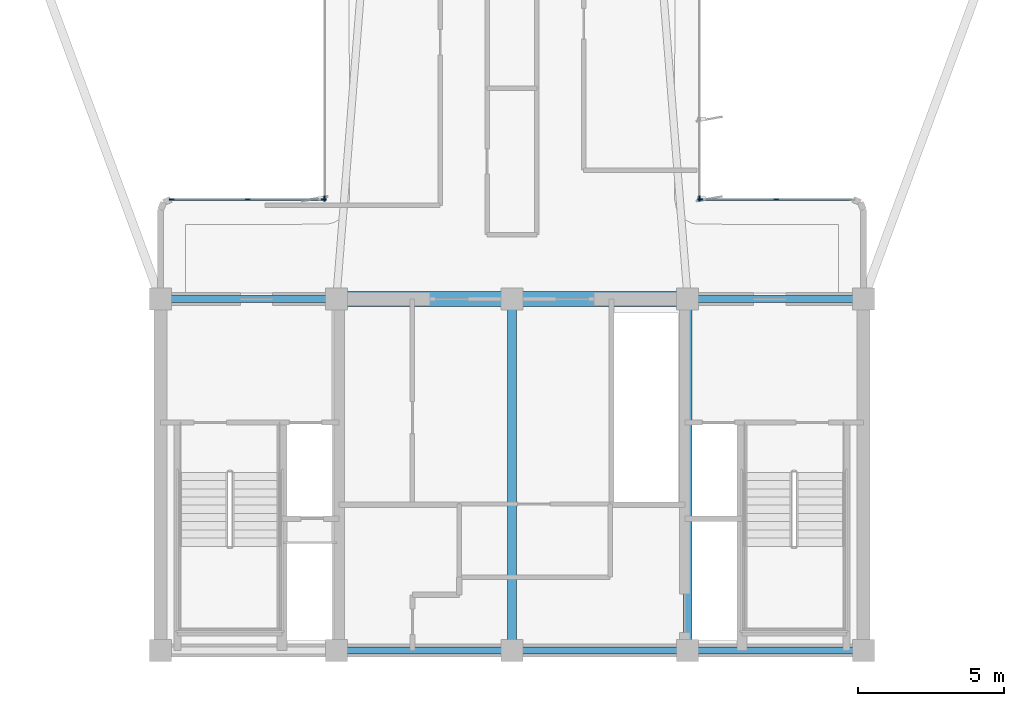
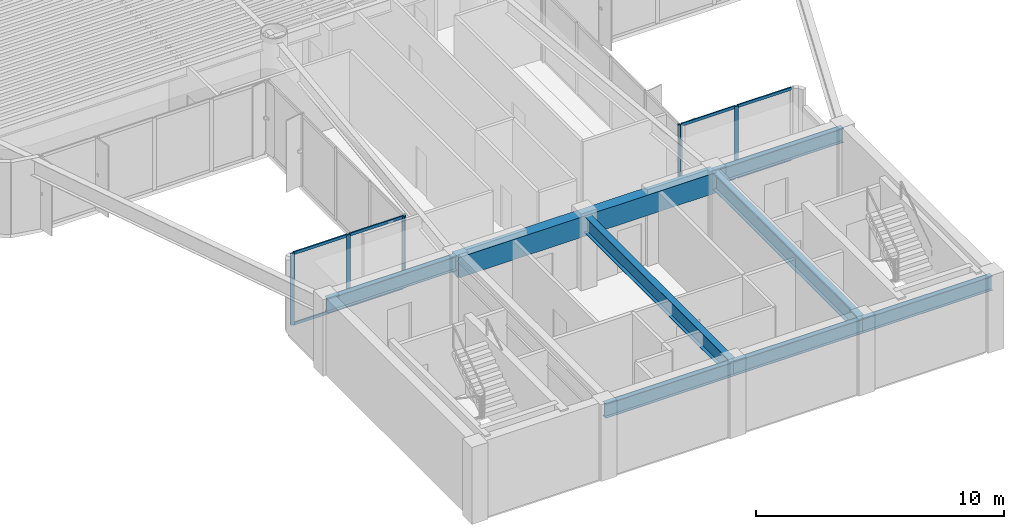
# One storey, part 2 of 14: 15 members, 8 beams, 4 elements without a shape of their own.
"""IFC4 building model written with IfcOpenShell, lengths in metres."""

from ifc_helpers import new_model, si_unit, direction, frame, origin, origin_2d, place, context, subcontext, project, spatial, rectangle, i_section, extrude, source, transform, mapped, material, layer, layer_set, material_profile, profile_set, type_object, element, aggregate, save


model = new_model("IFC4")

# Units and contexts
model_context = context("Model", 3, precision=1e-05, world=origin(), true_north=direction((0.0, 1.0)))
body_context = subcontext(model_context, "Body", "Model", "MODEL_VIEW")
ifc_project = project(units=[si_unit("LENGTHUNIT", "METRE"), si_unit("AREAUNIT", "SQUARE_METRE"), si_unit("VOLUMEUNIT", "CUBIC_METRE"), si_unit("PLANEANGLEUNIT", "RADIAN"), si_unit("MASSUNIT", "GRAM", prefix="KILO")], contexts=[model_context])

# Site, building, storey
site_placement = place(None, origin())
site = spatial("IfcSite", under=ifc_project, at=site_placement, CompositionType="ELEMENT")
building_placement = place(site_placement, origin())
building = spatial("IfcBuilding", under=site, at=building_placement, Name="Brelvock Crest Care Tower", CompositionType="ELEMENT")
storey_placement = place(building_placement, frame((0.0, 0.0, 175.320068359375)))
storey = spatial("IfcBuildingStorey", under=building, at=storey_placement, Name="L44", CompositionType="ELEMENT", Elevation=175.320068359375)

# Beams
ifc_material_1 = material(Name="Steel Grade 350", Category="steel")
ifc_material_profile_1 = material_profile(ifc_material_1, i_section(OverallWidth=0.25, OverallDepth=0.699951171875, WebThickness=0.011962890625, FlangeThickness=0.02001953125, at=origin_2d()), Name="700WB150")
ifc_profile_set_1 = profile_set([ifc_material_profile_1], Name="Steel Grade 350")
beam_type_1 = type_object("IfcBeamType", Name="BM-G4", PredefinedType="BEAM", material=ifc_profile_set_1)
shared_shape_1 = source(origin(), body_context, "Body", "SweptSolid", [
    extrude(i_section(OverallWidth=0.25, OverallDepth=0.699951171875, WebThickness=0.011962890625, FlangeThickness=0.02001953125, at=origin_2d()), origin(), (0.0, 0.0, 1.0), 6.0),
])
for number, where, z_axis, x_axis, name in (
    (1, (24.0, 18.0, 3.179931640625), (1.0, 0.0, 0.0), (0.0, 1.0, 0.0), "BM-COREN-L44-1"),
    (2, (30.0, 6.0, 3.179931640625), (1.0, 0.0, 0.0), (0.0, 1.0, 0.0), "BM-CORES-L44-2"),
    (3, (36.0, 6.0, 3.179931640625), (1.0, 0.0, 0.0), (0.0, 1.0, 0.0), "BM-CORES-L44-3"),
    (4, (42.0, 6.0, 3.179931640625), (1.0, 0.0, 0.0), (0.0, 1.0, 0.0), "BM-CORES-L44-4"),
    (5, (42.0, 18.0, 3.179931640625), (1.0, 0.0, 0.0), (0.0, 1.0, 0.0), "BM-COREN-L44-4"),
):
    element("IfcBeam", number, at=place(storey_placement, frame(where, z_axis=z_axis, x_axis=x_axis)), inside=storey, type_object=beam_type_1, Name=name, PredefinedType="BEAM", context=body_context, shape_type="MappedRepresentation", body=[
        mapped(shared_shape_1, transform((0.0, 0.0, 0.0), x_axis=(1.0, 0.0, 0.0), y_axis=(0.0, 1.0, 0.0), z_axis=(0.0, 0.0, 1.0), scale=1.0)),
    ])
ifc_material_profile_2 = material_profile(ifc_material_1, i_section(OverallWidth=0.300048828125, OverallDepth=0.800048828125, WebThickness=0.013916015625, FlangeThickness=0.02197265625, at=origin_2d()), Name="800WB192")
ifc_profile_set_2 = profile_set([ifc_material_profile_2], Name="Steel Grade 350")
beam_type_2 = type_object("IfcBeamType", Name="BM-G5", PredefinedType="BEAM", material=ifc_profile_set_2)
shared_shape_2 = source(origin(), body_context, "Body", "SweptSolid", [
    extrude(i_section(OverallWidth=0.300048828125, OverallDepth=0.800048828125, WebThickness=0.013916015625, FlangeThickness=0.02197265625, at=origin_2d()), origin(), (0.0, 0.0, 1.0), 12.0),
])
for number, where, z_axis, x_axis, name in (
    (6, (36.0, 6.0, 3.1298828125), (0.0, 1.0, 0.0), (-1.0, 0.0, 0.0), "BM-COREX-L44-3"),
    (7, (42.0, 6.0, 3.1298828125), (0.0, 1.0, 0.0), (-1.0, 0.0, 0.0), "BM-COREX-L44-4"),
):
    element("IfcBeam", number, at=place(storey_placement, frame(where, z_axis=z_axis, x_axis=x_axis)), inside=storey, type_object=beam_type_2, Name=name, PredefinedType="BEAM", context=body_context, shape_type="MappedRepresentation", body=[
        mapped(shared_shape_2, transform((0.0, 0.0, 0.0), x_axis=(1.0, 0.0, 0.0), y_axis=(0.0, 1.0, 0.0), z_axis=(0.0, 0.0, 1.0), scale=1.0)),
    ])
ifc_material_2 = material(Name="Concrete S65 (65 MPa)", Category="concrete")
ifc_material_profile_3 = material_profile(ifc_material_2, rectangle(XDim=0.5, YDim=1.0, at=origin_2d()), Name="RC500x1000")
ifc_profile_set_3 = profile_set([ifc_material_profile_3], Name="Concrete S65 (65 MPa)")
beam_type_3 = type_object("IfcBeamType", Name="BM-LN2", PredefinedType="LINTEL", material=ifc_profile_set_3)
shared_shape_3 = source(origin(), body_context, "Body", "SweptSolid", [
    extrude(rectangle(XDim=0.5, YDim=1.0, at=origin_2d()), origin(), (0.0, 0.0, 1.0), 12.0),
])
beam_placement = place(storey_placement, frame((30.0, 18.0, 3.030029296875), z_axis=(1.0, 0.0, 0.0), x_axis=(0.0, 1.0, 0.0)))
element("IfcBeam", 8, at=beam_placement, inside=storey, type_object=beam_type_3, Name="L44 Core Coupling Lintel Beam", PredefinedType="LINTEL", context=body_context, shape_type="MappedRepresentation", body=[
    mapped(shared_shape_3, transform((0.0, 0.0, 0.0), x_axis=(1.0, 0.0, 0.0), y_axis=(0.0, 1.0, 0.0), z_axis=(0.0, 0.0, 1.0), scale=1.0)),
])

# Curtain wall, members
ifc_material_3 = material(Name="Dark Glass Double Glazed Low-E", Category="glass")
ifc_layer = layer(ifc_material_3, 0.22509765625, Name="CWS-4")
ifc_layer_set = layer_set([ifc_layer], Name="Dark Glass Double Glazed Low-E")
curtain_wall_type = type_object("IfcCurtainWallType", Name="CWS-4", PredefinedType="NOTDEFINED", material=ifc_layer_set)
curtain_wall_1_placement = place(storey_placement, origin())
curtain_wall_1 = element("IfcCurtainWall", 9, at=curtain_wall_1_placement, inside=storey, type_object=curtain_wall_type, Name="L44 Curtain Wall E10", PredefinedType="NOTDEFINED")
ifc_material_4 = material(Name="Aluminium 6063-T6", Category="aluminium")
ifc_material_profile_4 = material_profile(ifc_material_4, rectangle(XDim=0.06005859375, YDim=0.179931640625, at=origin_2d()), Name="ALU60x180")
ifc_profile_set_4 = profile_set([ifc_material_profile_4], Name="Aluminium 6063-T6")
member_type_1 = type_object("IfcMemberType", Name="CWM-2", PredefinedType="MULLION", material=ifc_profile_set_4)
shared_shape_4 = source(origin(), body_context, "Body", "SweptSolid", [
    extrude(rectangle(XDim=0.06005859375, YDim=0.179931640625, at=origin_2d()), origin(), (0.0, 0.0, 1.0), 3.530029296875),
])
member_1_placement = place(storey_placement, frame((24.3798828125, 21.39990234375, 0.0), z_axis=(0.0, 0.0, 1.0), x_axis=(0.0, 1.0, 0.0)))
member_1 = element("IfcMember", 10, at=member_1_placement, type_object=member_type_1, Name="CW-4 mullion 1", PredefinedType="MULLION", context=body_context, shape_type="MappedRepresentation", body=[
    mapped(shared_shape_4, transform((0.0, 0.0, 0.0), x_axis=(1.0, 0.0, 0.0), y_axis=(0.0, 1.0, 0.0), z_axis=(0.0, 0.0, 1.0), scale=1.0)),
])
member_2_placement = place(storey_placement, frame((26.97509765625, 21.39990234375, 0.0), z_axis=(0.0, 0.0, 1.0), x_axis=(0.0, 1.0, 0.0)))
member_2 = element("IfcMember", 11, at=member_2_placement, type_object=member_type_1, Name="CW-4 mullion 2", PredefinedType="MULLION", context=body_context, shape_type="MappedRepresentation", body=[
    mapped(shared_shape_4, transform((0.0, 0.0, 0.0), x_axis=(1.0, 0.0, 0.0), y_axis=(0.0, 1.0, 0.0), z_axis=(0.0, 0.0, 1.0), scale=1.0)),
])
member_3_placement = place(storey_placement, frame((29.570068359375, 21.39990234375, 0.0), z_axis=(0.0, 0.0, 1.0), x_axis=(0.0, 1.0, 0.0)))
member_3 = element("IfcMember", 12, at=member_3_placement, type_object=member_type_1, Name="CW-4 mullion 3", PredefinedType="MULLION", context=body_context, shape_type="MappedRepresentation", body=[
    mapped(shared_shape_4, transform((0.0, 0.0, 0.0), x_axis=(1.0, 0.0, 0.0), y_axis=(0.0, 1.0, 0.0), z_axis=(0.0, 0.0, 1.0), scale=1.0)),
])

# Curtain wall, member
curtain_wall_2_placement = place(storey_placement, origin())
curtain_wall_2 = element("IfcCurtainWall", 13, at=curtain_wall_2_placement, inside=storey, type_object=curtain_wall_type, Name="L44 Curtain Wall E11", PredefinedType="NOTDEFINED")
member_4_placement = place(storey_placement, frame((29.60009765625, 21.429931640625, 0.0), z_axis=(0.0, 0.0, 1.0), x_axis=(-1.0, 0.0, 0.0)))
member_4 = element("IfcMember", 14, at=member_4_placement, type_object=member_type_1, Name="CW-4 mullion 1", PredefinedType="MULLION", context=body_context, shape_type="MappedRepresentation", body=[
    mapped(shared_shape_4, transform((0.0, 0.0, 0.0), x_axis=(1.0, 0.0, 0.0), y_axis=(0.0, 1.0, 0.0), z_axis=(0.0, 0.0, 1.0), scale=1.0)),
])
aggregate(curtain_wall_2, [member_4])

curtain_wall_3_placement = place(storey_placement, origin())
curtain_wall_3 = element("IfcCurtainWall", 15, at=curtain_wall_3_placement, inside=storey, type_object=curtain_wall_type, Name="L44 Curtain Wall E45", PredefinedType="NOTDEFINED")
member_5_placement = place(storey_placement, frame((42.39990234375, 21.429931640625, 0.0), z_axis=(0.0, 0.0, 1.0), x_axis=(1.0, 0.0, 0.0)))
member_5 = element("IfcMember", 16, at=member_5_placement, type_object=member_type_1, Name="CW-4 mullion 5", PredefinedType="MULLION", context=body_context, shape_type="MappedRepresentation", body=[
    mapped(shared_shape_4, transform((0.0, 0.0, 0.0), x_axis=(1.0, 0.0, 0.0), y_axis=(0.0, 1.0, 0.0), z_axis=(0.0, 0.0, 1.0), scale=1.0)),
])
aggregate(curtain_wall_3, [member_5])

# Curtain wall, members
curtain_wall_4_placement = place(storey_placement, origin())
curtain_wall_4 = element("IfcCurtainWall", 17, at=curtain_wall_4_placement, inside=storey, type_object=curtain_wall_type, Name="L44 Curtain Wall E46", PredefinedType="NOTDEFINED")
member_6_placement = place(storey_placement, frame((42.429931640625, 21.39990234375, 0.0), z_axis=(0.0, 0.0, 1.0), x_axis=(0.0, 1.0, 0.0)))
member_6 = element("IfcMember", 18, at=member_6_placement, type_object=member_type_1, Name="CW-4 mullion 1", PredefinedType="MULLION", context=body_context, shape_type="MappedRepresentation", body=[
    mapped(shared_shape_4, transform((0.0, 0.0, 0.0), x_axis=(1.0, 0.0, 0.0), y_axis=(0.0, 1.0, 0.0), z_axis=(0.0, 0.0, 1.0), scale=1.0)),
])
member_7_placement = place(storey_placement, frame((45.02490234375, 21.39990234375, 0.0), z_axis=(0.0, 0.0, 1.0), x_axis=(0.0, 1.0, 0.0)))
member_7 = element("IfcMember", 19, at=member_7_placement, type_object=member_type_1, Name="CW-4 mullion 2", PredefinedType="MULLION", context=body_context, shape_type="MappedRepresentation", body=[
    mapped(shared_shape_4, transform((0.0, 0.0, 0.0), x_axis=(1.0, 0.0, 0.0), y_axis=(0.0, 1.0, 0.0), z_axis=(0.0, 0.0, 1.0), scale=1.0)),
])

# Member
ifc_material_profile_5 = material_profile(ifc_material_4, rectangle(XDim=0.06005859375, YDim=0.139892578125, at=origin_2d()), Name="ALU60x140")
ifc_profile_set_5 = profile_set([ifc_material_profile_5], Name="Aluminium 6063-T6")
member_type_2 = type_object("IfcMemberType", Name="CWT-2", PredefinedType="USERDEFINED", material=ifc_profile_set_5)
shared_shape_5 = source(origin(), body_context, "Body", "SweptSolid", [
    extrude(rectangle(XDim=0.06005859375, YDim=0.139892578125, at=origin_2d()), origin(), (0.0, 0.0, 1.0), 2.53515625),
])
member_8_placement = place(storey_placement, frame((24.409912109375, 21.39990234375, 0.030029296875), z_axis=(1.0, 0.0, 0.0), x_axis=(0.0, 1.0, 0.0)))
member_8 = element("IfcMember", 20, at=member_8_placement, type_object=member_type_2, Name="CW-4 transom 1.1", ObjectType="TRANSOM", PredefinedType="USERDEFINED", context=body_context, shape_type="MappedRepresentation", body=[
    mapped(shared_shape_5, transform((0.0, 0.0, 0.0), x_axis=(1.0, 0.0, 0.0), y_axis=(0.0, 1.0, 0.0), z_axis=(0.0, 0.0, 1.0), scale=1.0)),
])

member_9_placement = place(storey_placement, frame((24.409912109375, 21.39990234375, 3.5), z_axis=(1.0, 0.0, 0.0), x_axis=(0.0, 1.0, 0.0)))
member_9 = element("IfcMember", 21, at=member_9_placement, type_object=member_type_2, Name="CW-4 transom 1.2", ObjectType="TRANSOM", PredefinedType="USERDEFINED", context=body_context, shape_type="MappedRepresentation", body=[
    mapped(shared_shape_5, transform((0.0, 0.0, 0.0), x_axis=(1.0, 0.0, 0.0), y_axis=(0.0, 1.0, 0.0), z_axis=(0.0, 0.0, 1.0), scale=1.0)),
])

member_10_placement = place(storey_placement, frame((27.0048828125, 21.39990234375, 0.030029296875), z_axis=(1.0, 0.0, 0.0), x_axis=(0.0, 1.0, 0.0)))
member_10 = element("IfcMember", 22, at=member_10_placement, type_object=member_type_2, Name="CW-4 transom 2.1", ObjectType="TRANSOM", PredefinedType="USERDEFINED", context=body_context, shape_type="MappedRepresentation", body=[
    mapped(shared_shape_5, transform((0.0, 0.0, 0.0), x_axis=(1.0, 0.0, 0.0), y_axis=(0.0, 1.0, 0.0), z_axis=(0.0, 0.0, 1.0), scale=1.0)),
])

member_11_placement = place(storey_placement, frame((27.0048828125, 21.39990234375, 3.5), z_axis=(1.0, 0.0, 0.0), x_axis=(0.0, 1.0, 0.0)))
member_11 = element("IfcMember", 23, at=member_11_placement, type_object=member_type_2, Name="CW-4 transom 2.2", ObjectType="TRANSOM", PredefinedType="USERDEFINED", context=body_context, shape_type="MappedRepresentation", body=[
    mapped(shared_shape_5, transform((0.0, 0.0, 0.0), x_axis=(1.0, 0.0, 0.0), y_axis=(0.0, 1.0, 0.0), z_axis=(0.0, 0.0, 1.0), scale=1.0)),
])

aggregate(curtain_wall_1, [member_1, member_2, member_3, member_8, member_9, member_10, member_11])

member_12_placement = place(storey_placement, frame((42.4599609375, 21.39990234375, 0.030029296875), z_axis=(1.0, 0.0, 0.0), x_axis=(0.0, 1.0, 0.0)))
member_12 = element("IfcMember", 24, at=member_12_placement, type_object=member_type_2, Name="CW-4 transom 1.1", ObjectType="TRANSOM", PredefinedType="USERDEFINED", context=body_context, shape_type="MappedRepresentation", body=[
    mapped(shared_shape_5, transform((0.0, 0.0, 0.0), x_axis=(1.0, 0.0, 0.0), y_axis=(0.0, 1.0, 0.0), z_axis=(0.0, 0.0, 1.0), scale=1.0)),
])

member_13_placement = place(storey_placement, frame((42.4599609375, 21.39990234375, 3.5), z_axis=(1.0, 0.0, 0.0), x_axis=(0.0, 1.0, 0.0)))
member_13 = element("IfcMember", 25, at=member_13_placement, type_object=member_type_2, Name="CW-4 transom 1.2", ObjectType="TRANSOM", PredefinedType="USERDEFINED", context=body_context, shape_type="MappedRepresentation", body=[
    mapped(shared_shape_5, transform((0.0, 0.0, 0.0), x_axis=(1.0, 0.0, 0.0), y_axis=(0.0, 1.0, 0.0), z_axis=(0.0, 0.0, 1.0), scale=1.0)),
])

member_14_placement = place(storey_placement, frame((45.054931640625, 21.39990234375, 0.030029296875), z_axis=(1.0, 0.0, 0.0), x_axis=(0.0, 1.0, 0.0)))
member_14 = element("IfcMember", 26, at=member_14_placement, type_object=member_type_2, Name="CW-4 transom 2.1", ObjectType="TRANSOM", PredefinedType="USERDEFINED", context=body_context, shape_type="MappedRepresentation", body=[
    mapped(shared_shape_5, transform((0.0, 0.0, 0.0), x_axis=(1.0, 0.0, 0.0), y_axis=(0.0, 1.0, 0.0), z_axis=(0.0, 0.0, 1.0), scale=1.0)),
])

member_15_placement = place(storey_placement, frame((45.054931640625, 21.39990234375, 3.5), z_axis=(1.0, 0.0, 0.0), x_axis=(0.0, 1.0, 0.0)))
member_15 = element("IfcMember", 27, at=member_15_placement, type_object=member_type_2, Name="CW-4 transom 2.2", ObjectType="TRANSOM", PredefinedType="USERDEFINED", context=body_context, shape_type="MappedRepresentation", body=[
    mapped(shared_shape_5, transform((0.0, 0.0, 0.0), x_axis=(1.0, 0.0, 0.0), y_axis=(0.0, 1.0, 0.0), z_axis=(0.0, 0.0, 1.0), scale=1.0)),
])

aggregate(curtain_wall_4, [member_6, member_7, member_12, member_13, member_14, member_15])

save(model, "model.ifc")
